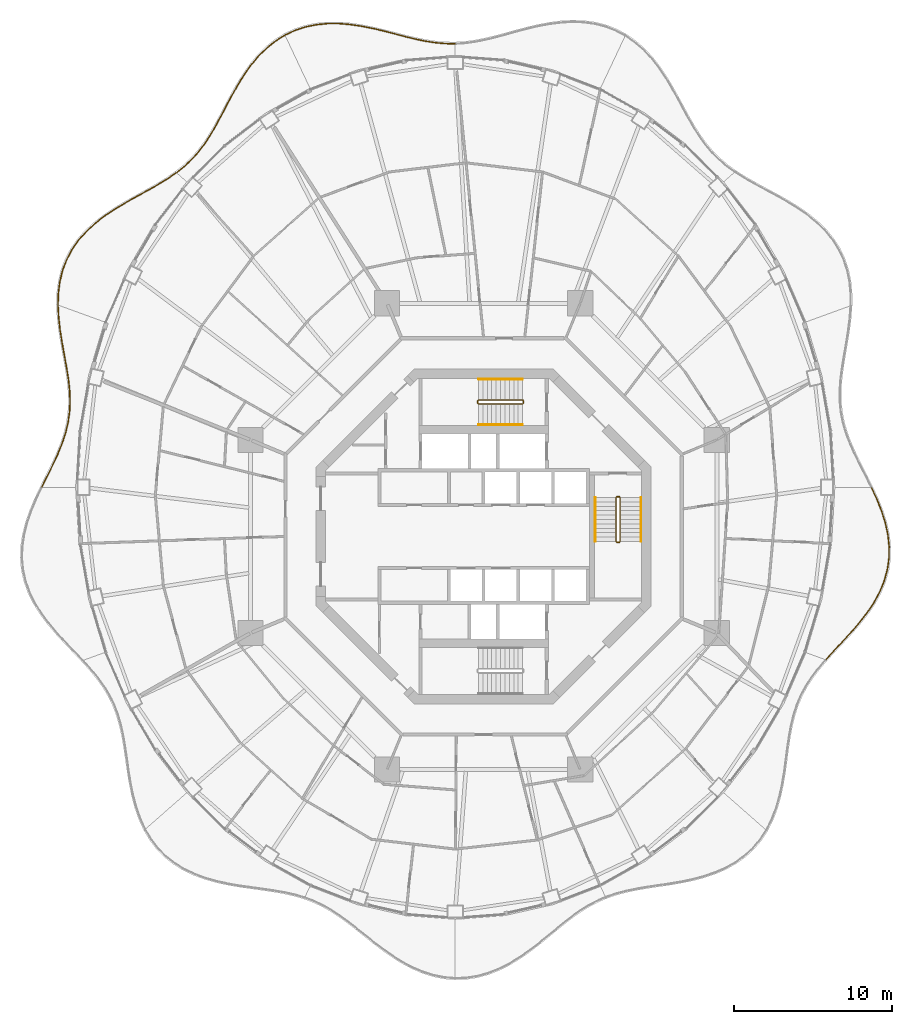
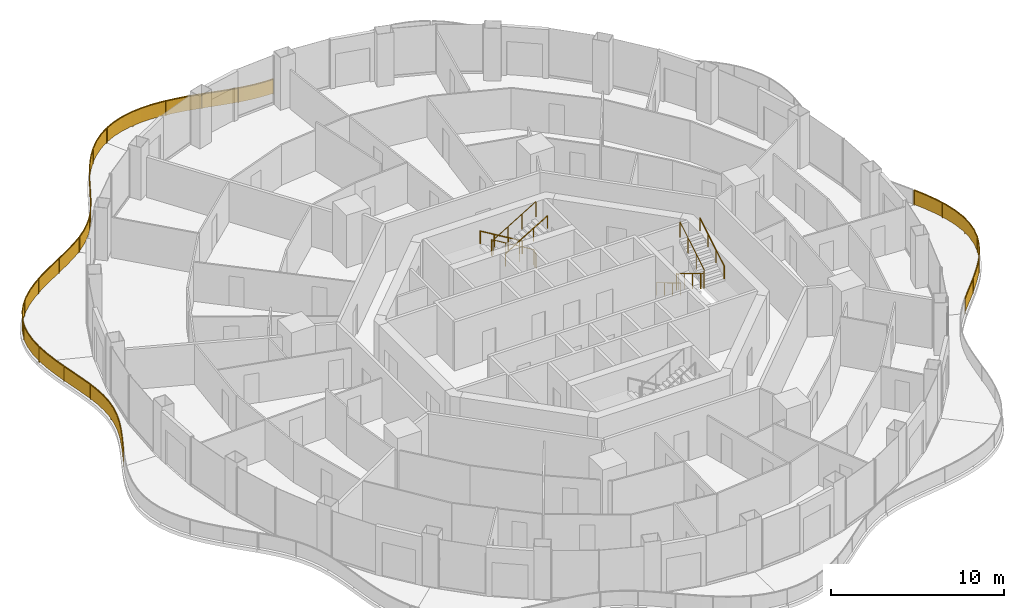
# One storey, part 17 of 18: 11 railings.
"""IFC4 building model written with IfcOpenShell, lengths in metres."""

import ifcopenshell
import ifcopenshell.guid

model = None  # the IFC model being written
_history = None  # IfcOwnerHistory: only IFC2X3 demands one
_inside = {}  # id of a spatial element -> (the spatial element, [elements in it])
_under = {}  # id of a project, library or spatial element -> (it, [spatial elements below it])
_declared = {}  # id of a project -> (the project, [libraries it declares])
_typed = {}  # id of a type object -> (the type object, [elements of that type])
_made_of = {}  # id of a material, layer set ... -> (it, [elements and type objects made of it])


def new_model(schema):
    """Start an empty IFC model of exactly this schema.

    Asked for "IFC4X3", IfcOpenShell would pick the latest addendum, in which some entities
    have other attributes; the version numbers below select the first issue.
    IFC2X3 requires an IfcOwnerHistory on every rooted entity: one is made here for all.
    """
    global model, _history
    if schema == "IFC4X3":
        model = ifcopenshell.file(schema_version=(4, 3, 0, 0))
    else:
        model = ifcopenshell.file(schema=schema)
    _inside.clear()
    _under.clear()
    _declared.clear()
    _typed.clear()
    _made_of.clear()
    _history = None
    if model.schema == "IFC2X3":
        org = make("IfcOrganization", Name="unknown")
        user = make(
            "IfcPersonAndOrganization",
            ThePerson=make("IfcPerson", FamilyName="unknown"),
            TheOrganization=org,
        )
        app = make(
            "IfcApplication",
            ApplicationDeveloper=org,
            Version="unknown",
            ApplicationFullName="unknown",
            ApplicationIdentifier="unknown",
        )
        _history = make(
            "IfcOwnerHistory",
            OwningUser=user,
            OwningApplication=app,
            ChangeAction="ADDED",
            CreationDate=0,
        )
    return model


def make(cls, **values):
    """One entity of the class cls with the attributes given. An attribute that is None is left unset."""
    return model.create_entity(
        cls, **{name: value for name, value in values.items() if value is not None}
    )


def rooted(cls, **values):
    """An entity with a GlobalId (a new one), such as an element, a storey or a relation."""
    return make(cls, GlobalId=ifcopenshell.guid.new(), OwnerHistory=_history, **values)


def si_unit(unit_type, name, prefix=None):
    """IfcSIUnit, for example si_unit("LENGTHUNIT", "METRE", prefix="MILLI")."""
    return make("IfcSIUnit", UnitType=unit_type, Prefix=prefix, Name=name)


def assignment(units):
    """IfcUnitAssignment: the units of a project."""
    return None if units is None else make("IfcUnitAssignment", Units=units)


def point(xyz):
    """IfcCartesianPoint."""
    return None if xyz is None else make("IfcCartesianPoint", Coordinates=xyz)


def direction(xyz):
    """IfcDirection."""
    return None if xyz is None else make("IfcDirection", DirectionRatios=xyz)


def frame(location, z_axis=None, x_axis=None):
    """IfcAxis2Placement3D, a coordinate frame: its origin and axes. An axis left out is left unset."""
    return make(
        "IfcAxis2Placement3D",
        Location=point(location),
        Axis=direction(z_axis),
        RefDirection=direction(x_axis),
    )


def frame_2d(location, x_axis=None):
    """IfcAxis2Placement2D, a coordinate frame in the plane: its origin and x axis."""
    return make(
        "IfcAxis2Placement2D", Location=point(location), RefDirection=direction(x_axis)
    )


def origin():
    """The frame at (0, 0, 0) with its axes left unset."""
    return frame((0.0, 0.0, 0.0))


def origin_2d():
    """The frame at (0, 0) in the plane with its x axis left unset."""
    return frame_2d((0.0, 0.0))


def place(relative_to, where):
    """IfcLocalPlacement: puts the frame where relative to a parent placement (None: the world)."""
    return make(
        "IfcLocalPlacement", PlacementRelTo=relative_to, RelativePlacement=where
    )


def context(
    kind, dimensions, precision=None, world=None, true_north=None, identifier=None
):
    """IfcGeometricRepresentationContext, for example the 3D "Model" context."""
    return make(
        "IfcGeometricRepresentationContext",
        ContextIdentifier=identifier,
        ContextType=kind,
        CoordinateSpaceDimension=dimensions,
        Precision=precision,
        WorldCoordinateSystem=world,
        TrueNorth=true_north,
    )


def subcontext(parent, identifier, kind, view, scale=None):
    """IfcGeometricRepresentationSubContext, for example "Body" below "Model"."""
    return make(
        "IfcGeometricRepresentationSubContext",
        ContextIdentifier=identifier,
        ContextType=kind,
        ParentContext=parent,
        TargetScale=scale,
        TargetView=view,
    )


def project(units=None, contexts=None):
    """IfcProject with its units and contexts."""
    return rooted(
        "IfcProject",
        Name="project",
        RepresentationContexts=contexts,
        UnitsInContext=assignment(units),
    )


def spatial(cls, under=None, at=None, **own):
    """A site, building, storey or space (cls), placed at a placement, below another one or the project."""
    s = rooted(cls, ObjectPlacement=at, **own)
    if under is not None:
        _under.setdefault(under.id(), (under, []))[1].append(s)
    return s


def polyline(points):
    """IfcPolyline through the points."""
    return make("IfcPolyline", Points=[point(p) for p in points])


def profile(cls, at=None, kind="AREA", **sizes):
    """A parametric profile (cls). Its sizes go by their IFC names, for example OverallWidth=200.0."""
    return make(cls, ProfileType=kind, Position=at, **sizes)


def rectangle(**sizes):
    """IfcRectangleProfileDef."""
    return profile("IfcRectangleProfileDef", **sizes)


def circle(**sizes):
    """IfcCircleProfileDef."""
    return profile("IfcCircleProfileDef", **sizes)


def outline(outer, holes=None, kind="AREA"):
    """IfcArbitraryClosedProfileDef: a profile drawn as a closed curve; with holes, ...WithVoids."""
    if holes is None:
        return make("IfcArbitraryClosedProfileDef", ProfileType=kind, OuterCurve=outer)
    return make(
        "IfcArbitraryProfileDefWithVoids",
        ProfileType=kind,
        OuterCurve=outer,
        InnerCurves=holes,
    )


def extrude(swept, where, along, depth):
    """IfcExtrudedAreaSolid: the profile swept, set in the frame where, extruded along a direction by depth."""
    return make(
        "IfcExtrudedAreaSolid",
        SweptArea=swept,
        Position=where,
        ExtrudedDirection=direction(along),
        Depth=depth,
    )


def shape(context_of_items, identifier, shape_type, items):
    """IfcShapeRepresentation: the items that make up one representation, for example the "Body"."""
    return make(
        "IfcShapeRepresentation",
        ContextOfItems=context_of_items,
        RepresentationIdentifier=identifier,
        RepresentationType=shape_type,
        Items=items,
    )


def material(Name=None, Category=None):
    """IfcMaterial."""
    return make("IfcMaterial", Name=Name, Category=Category)


def made_of(thing, what):
    """Note that an element or type object is made of a material, layer set ...; save() writes the relation."""
    if what is not None:
        _made_of.setdefault(what.id(), (what, []))[1].append(thing)
    return thing


def type_object(cls, material=None, **own):
    """A type object (cls), such as IfcWallType, which elements share."""
    return made_of(rooted(cls, **own), material)


def element(
    cls,
    number,
    at=None,
    inside=None,
    cuts=None,
    type_object=None,
    material=None,
    context=None,
    identifier="Body",
    shape_type=None,
    held_by="IfcProductDefinitionShape",
    body=None,
    shapes=None,
    **own,
):
    """One element of the class cls, such as IfcWall. Its Tag is "e" and its number.

    at: its placement. inside: the storey or other place that contains it. cuts: it is an
    opening in that element (IfcRelVoidsElement). A single representation is given by context,
    identifier, shape_type and body (its items); several are given by shapes. held_by: the class
    of the entity that holds the representations. save() writes the other relations.
    """
    e = rooted(cls, Tag="e%d" % number, ObjectPlacement=at, **own)
    if body is not None:
        shapes = [shape(context, identifier, shape_type, body)]
    if shapes is not None:
        e.Representation = make(held_by, Representations=shapes)
    if inside is not None:
        _inside.setdefault(inside.id(), (inside, []))[1].append(e)
    if cuts is not None:
        rooted(
            "IfcRelVoidsElement", RelatingBuildingElement=cuts, RelatedOpeningElement=e
        )
    if type_object is not None:
        _typed.setdefault(type_object.id(), (type_object, []))[1].append(e)
    return made_of(e, material)


def aggregate(whole, parts):
    """IfcRelAggregates: a whole, such as a stair, and the parts it consists of."""
    return rooted("IfcRelAggregates", RelatingObject=whole, RelatedObjects=parts)


def save(model, path):
    """Write the relations noted so far, then the file.

    IfcRelAggregates (storeys below a building ...), IfcRelContainedInSpatialStructure (elements
    in a storey), IfcRelDefinesByType, IfcRelAssociatesMaterial and IfcRelDeclares: one each for
    every whole, place, type object, material and project.
    """
    for whole, parts in _under.values():
        aggregate(whole, parts)
    for where, things in _inside.values():
        rooted(
            "IfcRelContainedInSpatialStructure",
            RelatedElements=things,
            RelatingStructure=where,
        )
    for kind, things in _typed.values():
        rooted("IfcRelDefinesByType", RelatedObjects=things, RelatingType=kind)
    for what, things in _made_of.values():
        rooted("IfcRelAssociatesMaterial", RelatedObjects=things, RelatingMaterial=what)
    for by, libraries in _declared.values():
        rooted("IfcRelDeclares", RelatingContext=by, RelatedDefinitions=libraries)
    model.write(path)


model = new_model("IFC4")

# Units and contexts
model_context = context("Model", 3, precision=1e-05, world=origin(), true_north=direction((0.0, 1.0)))
body_context = subcontext(model_context, "Body", "Model", "MODEL_VIEW")
ifc_project = project(units=[si_unit("LENGTHUNIT", "METRE"), si_unit("AREAUNIT", "SQUARE_METRE"), si_unit("VOLUMEUNIT", "CUBIC_METRE"), si_unit("PLANEANGLEUNIT", "RADIAN"), si_unit("MASSUNIT", "GRAM", prefix="KILO")], contexts=[model_context])

# Site, building, storey
site_placement = place(None, origin())
site = spatial("IfcSite", under=ifc_project, at=site_placement, CompositionType="ELEMENT")
building_placement = place(site_placement, origin())
building = spatial("IfcBuilding", under=site, at=building_placement, Name="Nagisa Residences", CompositionType="ELEMENT")
storey_placement = place(building_placement, frame((0.0, 0.0, 223.300048828125)))
storey = spatial("IfcBuildingStorey", under=building, at=storey_placement, Name="L56", CompositionType="ELEMENT", Elevation=223.300048828125)

# Railings
ifc_material_1 = material(Name="Stainless steel 316", Category="steel")
railing_type_1 = type_object("IfcRailingType", Name="BALCONY GUARD 1100", PredefinedType="BALUSTRADE", material=ifc_material_1)
railing_1_placement = place(storey_placement, frame((-1.83447265625, 31.240234375, 0.0)))
element("IfcRailing", 1, at=railing_1_placement, inside=storey, type_object=railing_type_1, Name="guard:L56:bal04-0", PredefinedType="BALUSTRADE", context=body_context, shape_type="SweptSolid", body=[
    extrude(outline(polyline([(-0.5771484375, -0.017822265625), (-0.000244140625, -0.02490234375), (0.000244140625, 0.02490234375), (-0.57470703125, 0.031982421875), (-1.196533203125, 0.085693359375), (-1.826904296875, 0.181640625), (-2.470458984375, 0.3134765625), (-3.129150390625, 0.471923828125), (-3.78759765625, 0.64892578125), (-4.48095703125, 0.826416015625), (-5.189453125, 0.9931640625), (-5.910400390625, 1.13623046875), (-6.638427734375, 1.241943359375), (-7.3515625, 1.30322265625), (-8.076416015625, 1.299560546875), (-8.789306640625, 1.22802734375), (-9.482177734375, 1.0830078125), (-10.148193359375, 0.861328125), (-10.737060546875, 0.583740234375), (-10.715576171875, 0.538330078125), (-10.129638671875, 0.81494140625), (-9.468994140625, 1.03466796875), (-8.781494140625, 1.1787109375), (-8.073974609375, 1.249755859375), (-7.353515625, 1.2529296875), (-6.644287109375, 1.192138671875), (-5.918701171875, 1.0869140625), (-5.2001953125, 0.9443359375), (-4.49267578125, 0.777587890625), (-3.80029296875, 0.6005859375), (-3.141357421875, 0.423583984375), (-2.481201171875, 0.2646484375), (-1.835693359375, 0.13232421875), (-1.202392578125, 0.035888671875), (-0.5771484375, -0.017822265625)])), frame((0.0, 0.0, 1.050048828125)), (0.0, 0.0, 1.0), 0.050048828125),
    extrude(outline(polyline([(-0.576171875, 0.0), (0.0, -0.007080078125), (0.0, 0.007080078125), (-0.57568359375, 0.01416015625), (-1.19873046875, 0.067626953125), (-1.830078125, 0.163818359375), (-2.474365234375, 0.2958984375), (-3.133544921875, 0.45458984375), (-3.792236328125, 0.631591796875), (-4.485107421875, 0.808837890625), (-5.193359375, 0.9755859375), (-5.913330078125, 1.118408203125), (-6.640625, 1.223876953125), (-7.352294921875, 1.28515625), (-8.07568359375, 1.28173828125), (-8.786376953125, 1.210205078125), (-9.477294921875, 1.065673828125), (-10.1416015625, 0.8447265625), (-10.729248046875, 0.5673828125), (-10.723388671875, 0.5546875), (-10.13623046875, 0.83154296875), (-9.473876953125, 1.052001953125), (-8.784423828125, 1.196533203125), (-8.07470703125, 1.267578125), (-7.352783203125, 1.27099609375), (-6.64208984375, 1.210205078125), (-5.915771484375, 1.104736328125), (-5.1962890625, 0.9619140625), (-4.488525390625, 0.795166015625), (-3.795654296875, 0.617919921875), (-3.136962890625, 0.44091796875), (-2.477294921875, 0.2822265625), (-1.83251953125, 0.150146484375), (-1.2001953125, 0.053955078125), (-0.576171875, 0.0)])), frame((0.0, 0.0, 0.06005859375)), (0.0, 0.0, 1.0), 0.989990234375),
    extrude(rectangle(XDim=0.0400390625, YDim=0.0400390625, at=origin_2d()), origin(), (0.0, 0.0, 1.0), 1.050048828125),
    extrude(rectangle(XDim=0.0400390625, YDim=0.0400390625, at=origin_2d()), frame((-2.177978515625, 0.22802734375, 0.0)), (0.0, 0.0, 1.0), 1.050048828125),
    extrude(rectangle(XDim=0.0400390625, YDim=0.0400390625, at=origin_2d()), frame((-4.307861328125, 0.756103515625, 0.0)), (0.0, 0.0, 1.0), 1.050048828125),
    extrude(rectangle(XDim=0.0400390625, YDim=0.0400390625, at=origin_2d()), frame((-6.457763671875, 1.1904296875, 0.0)), (0.0, 0.0, 1.0), 1.050048828125),
    extrude(rectangle(XDim=0.0400390625, YDim=0.0400390625, at=origin_2d()), frame((-8.64501953125, 1.217529296875, 0.0)), (0.0, 0.0, 1.0), 1.050048828125),
    extrude(rectangle(XDim=0.0400390625, YDim=0.0400390625, at=origin_2d()), frame((-10.726318359375, 0.56103515625, 0.0)), (0.0, 0.0, 1.0), 1.050048828125),
])
railing_2_placement = place(storey_placement, frame((-12.628662109375, 31.763916015625, 0.0)))
element("IfcRailing", 2, at=railing_2_placement, inside=storey, type_object=railing_type_1, Name="guard:L56:bal05-0", PredefinedType="BALUSTRADE", context=body_context, shape_type="SweptSolid", body=[
    extrude(outline(polyline([(-0.55908203125, -0.38134765625), (0.013427734375, -0.021240234375), (-0.013427734375, 0.021240234375), (-0.58837890625, -0.34033203125), (-1.16015625, -0.800537109375), (-1.686279296875, -1.324462890625), (-2.166259765625, -1.90087890625), (-2.60302734375, -2.517333984375), (-2.989990234375, -3.15185546875), (-3.3603515625, -3.80810546875), (-3.709228515625, -4.4638671875), (-4.046142578125, -5.107177734375), (-4.382568359375, -5.727783203125), (-4.716064453125, -6.306884765625), (-5.08056640625, -6.860107421875), (-5.472412109375, -7.37353515625), (-5.8984375, -7.84716796875), (-6.36328125, -8.283203125), (-6.836181640625, -8.66015625), (-6.804931640625, -8.69921875), (-6.33056640625, -8.3212890625), (-5.86279296875, -7.88232421875), (-5.433837890625, -7.4052734375), (-5.03955078125, -6.888916015625), (-4.673583984375, -6.333251953125), (-4.339111328125, -5.752197265625), (-4.002197265625, -5.130615234375), (-3.664794921875, -4.4873046875), (-3.31640625, -3.83203125), (-2.947021484375, -3.17724609375), (-2.56103515625, -2.544677734375), (-2.126708984375, -1.931640625), (-1.649169921875, -1.358154296875), (-1.126953125, -0.837646484375), (-0.55908203125, -0.38134765625)])), frame((0.0, 0.0, 1.050048828125)), (0.0, 0.0, 1.0), 0.050048828125),
    extrude(outline(polyline([(-0.569580078125, -0.366455078125), (0.003662109375, -0.005859375), (-0.003662109375, 0.005859375), (-0.577880859375, -0.355224609375), (-1.148193359375, -0.81396484375), (-1.6728515625, -1.336669921875), (-2.152099609375, -1.912109375), (-2.587890625, -2.527099609375), (-2.974609375, -3.160888671875), (-3.344482421875, -3.816650390625), (-3.693115234375, -4.472412109375), (-4.0302734375, -5.11572265625), (-4.366943359375, -5.736572265625), (-4.70068359375, -6.31640625), (-5.065673828125, -6.870361328125), (-5.45849609375, -7.385009765625), (-5.8857421875, -7.85986328125), (-6.3515625, -8.296875), (-6.824951171875, -8.67431640625), (-6.816162109375, -8.68505859375), (-6.34228515625, -8.3076171875), (-5.87548828125, -7.86962890625), (-5.44775390625, -7.393798828125), (-5.054443359375, -6.878662109375), (-4.68896484375, -6.32373046875), (-4.354736328125, -5.743408203125), (-4.01806640625, -5.1220703125), (-3.680908203125, -4.478759765625), (-3.332275390625, -3.823486328125), (-2.96240234375, -3.168212890625), (-2.576171875, -2.534912109375), (-2.140869140625, -1.92041015625), (-1.66259765625, -1.345947265625), (-1.138916015625, -0.82421875), (-0.569580078125, -0.366455078125)])), frame((0.0, 0.0, 0.06005859375)), (0.0, 0.0, 1.0), 0.989990234375),
    extrude(rectangle(XDim=0.0400390625, YDim=0.0400390625, at=origin_2d()), origin(), (0.0, 0.0, 1.0), 1.050048828125),
    extrude(rectangle(XDim=0.0400390625, YDim=0.0400390625, at=origin_2d()), frame((-1.72412109375, -1.4091796875, 0.0)), (0.0, 0.0, 1.0), 1.050048828125),
    extrude(rectangle(XDim=0.0400390625, YDim=0.0400390625, at=origin_2d()), frame((-3.0087890625, -3.23583984375, 0.0)), (0.0, 0.0, 1.0), 1.050048828125),
    extrude(rectangle(XDim=0.0400390625, YDim=0.0400390625, at=origin_2d()), frame((-4.070556640625, -5.20458984375, 0.0)), (0.0, 0.0, 1.0), 1.050048828125),
    extrude(rectangle(XDim=0.0400390625, YDim=0.0400390625, at=origin_2d()), frame((-5.239013671875, -7.10888671875, 0.0)), (0.0, 0.0, 1.0), 1.050048828125),
    extrude(rectangle(XDim=0.0400390625, YDim=0.0400390625, at=origin_2d()), frame((-6.820556640625, -8.6796875, 0.0)), (0.0, 0.0, 1.0), 1.050048828125),
])
railing_3_placement = place(storey_placement, frame((-19.50732421875, 23.043701171875, 0.0)))
element("IfcRailing", 3, at=railing_3_placement, inside=storey, type_object=railing_type_1, Name="guard:L56:bal06-0", PredefinedType="BALUSTRADE", context=body_context, shape_type="SweptSolid", body=[
    extrude(outline(polyline([(-0.526123046875, -0.3916015625), (0.01416015625, -0.020751953125), (-0.01416015625, 0.020751953125), (-0.553466796875, -0.349609375), (-1.1669921875, -0.724853515625), (-1.813232421875, -1.090576171875), (-2.481689453125, -1.458251953125), (-3.159423828125, -1.838623046875), (-3.82373046875, -2.22900390625), (-4.476806640625, -2.663330078125), (-5.093994140625, -3.135986328125), (-5.660888671875, -3.65185546875), (-6.16455078125, -4.21337890625), (-6.58837890625, -4.80712890625), (-6.9375, -5.457275390625), (-7.201904296875, -6.146240234375), (-7.381103515625, -6.86767578125), (-7.479248046875, -7.61474609375), (-7.50048828125, -8.33251953125), (-7.45068359375, -8.333984375), (-7.429443359375, -7.61865234375), (-7.331787109375, -6.876953125), (-7.154052734375, -6.161376953125), (-6.89208984375, -5.478271484375), (-6.5458984375, -4.83349609375), (-6.12548828125, -4.24462890625), (-5.625244140625, -3.68701171875), (-5.061767578125, -3.174560546875), (-4.447509765625, -2.703857421875), (-3.79736328125, -2.271484375), (-3.134521484375, -1.882080078125), (-2.457275390625, -1.502197265625), (-1.788818359375, -1.134521484375), (-1.1416015625, -0.767822265625), (-0.526123046875, -0.3916015625)])), frame((0.0, 0.0, 1.050048828125)), (0.0, 0.0, 1.0), 0.050048828125),
    extrude(outline(polyline([(-0.535888671875, -0.37646484375), (0.00390625, -0.005859375), (-0.00390625, 0.005859375), (-0.543701171875, -0.36474609375), (-1.157958984375, -0.740234375), (-1.804443359375, -1.1064453125), (-2.472900390625, -1.47412109375), (-3.150390625, -1.854248046875), (-3.814208984375, -2.244384765625), (-4.46630859375, -2.677978515625), (-5.082275390625, -3.14990234375), (-5.64794921875, -3.66455078125), (-6.150390625, -4.224609375), (-6.572998046875, -4.816650390625), (-6.921142578125, -5.46484375), (-7.1845703125, -6.151611328125), (-7.36328125, -6.87109375), (-7.46142578125, -7.6162109375), (-7.482666015625, -8.3330078125), (-7.468505859375, -8.33349609375), (-7.447265625, -7.6171875), (-7.349609375, -6.87353515625), (-7.17138671875, -6.156005859375), (-6.908447265625, -5.470703125), (-6.561279296875, -4.823974609375), (-6.1396484375, -4.2333984375), (-5.63818359375, -3.67431640625), (-5.073486328125, -3.16064453125), (-4.4580078125, -2.689208984375), (-3.806884765625, -2.256103515625), (-3.1435546875, -1.866455078125), (-2.466064453125, -1.486328125), (-1.797607421875, -1.11865234375), (-1.150634765625, -0.75244140625), (-0.535888671875, -0.37646484375)])), frame((0.0, 0.0, 0.06005859375)), (0.0, 0.0, 1.0), 0.989990234375),
    extrude(rectangle(XDim=0.0400390625, YDim=0.0400390625, at=origin_2d()), origin(), (0.0, 0.0, 1.0), 1.050048828125),
    extrude(rectangle(XDim=0.0400390625, YDim=0.0400390625, at=origin_2d()), frame((-2.031494140625, -1.2392578125, 0.0)), (0.0, 0.0, 1.0), 1.050048828125),
    extrude(rectangle(XDim=0.0400390625, YDim=0.0400390625, at=origin_2d()), frame((-4.089111328125, -2.435546875, 0.0)), (0.0, 0.0, 1.0), 1.050048828125),
    extrude(rectangle(XDim=0.0400390625, YDim=0.0400390625, at=origin_2d()), frame((-5.906005859375, -3.96240234375, 0.0)), (0.0, 0.0, 1.0), 1.050048828125),
    extrude(rectangle(XDim=0.0400390625, YDim=0.0400390625, at=origin_2d()), frame((-7.115966796875, -5.9921875, 0.0)), (0.0, 0.0, 1.0), 1.050048828125),
    extrude(rectangle(XDim=0.0400390625, YDim=0.0400390625, at=origin_2d()), frame((-7.4755859375, -8.333251953125, 0.0)), (0.0, 0.0, 1.0), 1.050048828125),
])
railing_4_placement = place(storey_placement, frame((-26.981201171875, 14.633056640625, 0.0)))
element("IfcRailing", 4, at=railing_4_placement, inside=storey, type_object=railing_type_1, Name="guard:L56:bal07-0", PredefinedType="BALUSTRADE", context=body_context, shape_type="SweptSolid", body=[
    extrude(outline(polyline([(0.064208984375, -0.7490234375), (0.02490234375, 0.001220703125), (-0.02490234375, -0.001220703125), (0.014404296875, -0.7529296875), (0.10546875, -1.552734375), (0.230712890625, -2.34619140625), (0.37158203125, -3.12744140625), (0.5087890625, -3.891845703125), (0.628173828125, -4.623291015625), (0.707275390625, -5.347900390625), (0.73583984375, -6.0537109375), (0.705078125, -6.743408203125), (0.609619140625, -7.42138671875), (0.4501953125, -8.078857421875), (0.2275390625, -8.748779296875), (-0.048828125, -9.423095703125), (-0.36669921875, -10.106201171875), (-0.710693359375, -10.80126953125), (-1.044921875, -11.47021484375), (-1.0, -11.49267578125), (-0.665771484375, -10.82373046875), (-0.32177734375, -10.127685546875), (-0.0029296875, -9.443115234375), (0.2744140625, -8.766357421875), (0.49853515625, -8.092529296875), (0.658935546875, -7.4306640625), (0.7548828125, -6.747802734375), (0.7861328125, -6.0537109375), (0.757080078125, -5.343994140625), (0.677978515625, -4.616455078125), (0.55810546875, -3.883544921875), (0.4208984375, -3.11865234375), (0.280029296875, -2.337890625), (0.1552734375, -1.5458984375), (0.064208984375, -0.7490234375)])), frame((0.0, 0.0, 1.050048828125)), (0.0, 0.0, 1.0), 0.050048828125),
    extrude(outline(polyline([(0.04638671875, -0.75048828125), (0.007080078125, 0.000244140625), (-0.007080078125, -0.000244140625), (0.0322265625, -0.75146484375), (0.12353515625, -1.55029296875), (0.24853515625, -2.34326171875), (0.389404296875, -3.124267578125), (0.526611328125, -3.888916015625), (0.646240234375, -4.620849609375), (0.72509765625, -5.346435546875), (0.75390625, -6.0537109375), (0.722900390625, -6.744873046875), (0.62744140625, -7.4248046875), (0.467529296875, -8.083740234375), (0.244384765625, -8.755126953125), (-0.0322265625, -9.430419921875), (-0.3505859375, -10.114013671875), (-0.694580078125, -10.809326171875), (-1.02880859375, -11.478271484375), (-1.01611328125, -11.484619140625), (-0.681884765625, -10.815673828125), (-0.337890625, -10.119873046875), (-0.01953125, -9.435791015625), (0.257568359375, -8.760009765625), (0.481201171875, -8.087646484375), (0.64111328125, -7.42724609375), (0.737060546875, -6.746337890625), (0.76806640625, -6.0537109375), (0.7392578125, -5.345458984375), (0.659912109375, -4.618896484375), (0.540283203125, -3.886474609375), (0.403076171875, -3.121826171875), (0.26220703125, -2.3408203125), (0.13720703125, -1.54833984375), (0.04638671875, -0.75048828125)])), frame((0.0, 0.0, 0.06005859375)), (0.0, 0.0, 1.0), 0.989990234375),
    extrude(rectangle(XDim=0.0400390625, YDim=0.0400390625, at=origin_2d()), origin(), (0.0, 0.0, 1.0), 1.050048828125),
    extrude(rectangle(XDim=0.0400390625, YDim=0.0400390625, at=origin_2d()), frame((0.2587890625, -2.3603515625, 0.0)), (0.0, 0.0, 1.0), 1.050048828125),
    extrude(rectangle(XDim=0.0400390625, YDim=0.0400390625, at=origin_2d()), frame((0.662109375, -4.702392578125, 0.0)), (0.0, 0.0, 1.0), 1.050048828125),
    extrude(rectangle(XDim=0.0400390625, YDim=0.0400390625, at=origin_2d()), frame((0.684326171875, -7.071044921875, 0.0)), (0.0, 0.0, 1.0), 1.050048828125),
    extrude(rectangle(XDim=0.0400390625, YDim=0.0400390625, at=origin_2d()), frame((0.011474609375, -9.341796875, 0.0)), (0.0, 0.0, 1.0), 1.050048828125),
    extrude(rectangle(XDim=0.0400390625, YDim=0.0400390625, at=origin_2d()), frame((-1.0224609375, -11.4814453125, 0.0)), (0.0, 0.0, 1.0), 1.050048828125),
])
railing_5_placement = place(storey_placement, frame((21.708740234375, -7.79052734375, 0.0)))
element("IfcRailing", 5, at=railing_5_placement, inside=storey, type_object=railing_type_1, Name="guard:L56:bal15-0", PredefinedType="BALUSTRADE", context=body_context, shape_type="SweptSolid", body=[
    extrude(outline(polyline([(0.471435546875, 0.54833984375), (-0.018310546875, 0.016845703125), (0.018310546875, -0.016845703125), (0.508056640625, 0.51416015625), (1.046142578125, 1.08642578125), (1.588134765625, 1.674072265625), (2.114990234375, 2.2822265625), (2.608154296875, 2.91455078125), (3.046142578125, 3.56005859375), (3.41943359375, 4.245361328125), (3.71142578125, 4.955322265625), (3.912841796875, 5.686279296875), (4.017822265625, 6.43359375), (4.0244140625, 7.177734375), (3.939453125, 7.93994140625), (3.77001953125, 8.70068359375), (3.528076171875, 9.45458984375), (3.229736328125, 10.197265625), (2.9091796875, 10.88427734375), (2.86376953125, 10.86328125), (3.183837890625, 10.17724609375), (3.481201171875, 9.4375), (3.7216796875, 8.6875), (3.89013671875, 7.931640625), (3.97412109375, 7.17529296875), (3.968017578125, 6.4375), (3.863525390625, 5.696533203125), (3.6640625, 4.971435546875), (3.3740234375, 4.266845703125), (3.003173828125, 3.5859375), (2.567626953125, 2.94384765625), (2.076416015625, 2.31396484375), (1.551025390625, 1.707275390625), (1.009521484375, 1.12060546875), (0.471435546875, 0.54833984375)])), frame((0.0, 0.0, 1.050048828125)), (0.0, 0.0, 1.0), 0.050048828125),
    extrude(outline(polyline([(0.484619140625, 0.5361328125), (-0.005126953125, 0.004638671875), (0.005126953125, -0.004638671875), (0.494873046875, 0.5263671875), (1.032958984375, 1.0986328125), (1.57470703125, 1.68603515625), (2.10107421875, 2.293701171875), (2.593505859375, 2.925048828125), (3.03076171875, 3.5693359375), (3.403076171875, 4.253173828125), (3.6943359375, 4.961181640625), (3.89501953125, 5.68994140625), (4.0, 6.43505859375), (4.00634765625, 7.1767578125), (3.921630859375, 7.93701171875), (3.752685546875, 8.696044921875), (3.51123046875, 9.448486328125), (3.213134765625, 10.18994140625), (2.892822265625, 10.876708984375), (2.880126953125, 10.870849609375), (3.200439453125, 10.1845703125), (3.498046875, 9.443603515625), (3.739013671875, 8.692138671875), (3.907958984375, 7.9345703125), (3.9921875, 7.17626953125), (3.98583984375, 6.43603515625), (3.88134765625, 5.69287109375), (3.68115234375, 4.965576171875), (3.390380859375, 4.259033203125), (3.0185546875, 3.57666015625), (2.582275390625, 2.933349609375), (2.09033203125, 2.302490234375), (1.564453125, 1.6953125), (1.022705078125, 1.1083984375), (0.484619140625, 0.5361328125)])), frame((0.0, 0.0, 0.06005859375)), (0.0, 0.0, 1.0), 0.989990234375),
    extrude(rectangle(XDim=0.0400390625, YDim=0.0400390625, at=origin_2d()), origin(), (0.0, 0.0, 1.0), 1.050048828125),
    extrude(rectangle(XDim=0.0400390625, YDim=0.0400390625, at=origin_2d()), frame((1.40283203125, 1.510009765625, 0.0)), (0.0, 0.0, 1.0), 1.050048828125),
    extrude(rectangle(XDim=0.0400390625, YDim=0.0400390625, at=origin_2d()), frame((2.706298828125, 3.10400390625, 0.0)), (0.0, 0.0, 1.0), 1.050048828125),
    extrude(rectangle(XDim=0.0400390625, YDim=0.0400390625, at=origin_2d()), frame((3.669189453125, 4.91845703125, 0.0)), (0.0, 0.0, 1.0), 1.050048828125),
    extrude(rectangle(XDim=0.0400390625, YDim=0.0400390625, at=origin_2d()), frame((3.997314453125, 6.94140625, 0.0)), (0.0, 0.0, 1.0), 1.050048828125),
    extrude(rectangle(XDim=0.0400390625, YDim=0.0400390625, at=origin_2d()), frame((3.65869140625, 8.965576171875, 0.0)), (0.0, 0.0, 1.0), 1.050048828125),
    extrude(rectangle(XDim=0.0400390625, YDim=0.0400390625, at=origin_2d()), frame((2.886474609375, 10.873779296875, 0.0)), (0.0, 0.0, 1.0), 1.050048828125),
])
ifc_material_2 = material(Name="Stainless steel", Category="steel")
railing_type_2 = type_object("IfcRailingType", Name="Stair guard 1100", PredefinedType="GUARDRAIL", material=ifc_material_2)
railing_6_placement = place(storey_placement, frame((8.599609375, 2.52490234375, 0.0)))
element("IfcRailing", 6, at=railing_6_placement, inside=storey, type_object=railing_type_2, Name="L56 ST-E stair guard 1", PredefinedType="GUARDRAIL", context=body_context, shape_type="SweptSolid", body=[
    extrude(circle(Radius=0.02392578125, at=origin_2d()), frame((0.0, 0.0, 1.076171875), z_axis=(-1.0, 0.0, 0.0), x_axis=(0.0, -1.0, 0.0)), (0.0, 0.0, 1.0), 0.14990234375),
    extrude(circle(Radius=0.02392578125, at=origin_2d()), frame((-0.14990234375, 0.0, 1.076171875), z_axis=(-0.27434429532, -0.273006030465, 0.922064485248), x_axis=(0.705375805398, -0.708833529934, 0.0)), (0.0, 0.0, 1.0), 0.182373046875),
    extrude(circle(Radius=0.02392578125, at=origin_2d()), frame((-0.199951171875, -0.0498046875, 1.244140625), z_axis=(0.0, -0.857275202839, 0.514858452973), x_axis=(1.0, 0.0, 0.0)), (0.0, 0.0, 1.0), 3.26611328125),
    extrude(circle(Radius=0.02392578125, at=origin_2d()), frame((-0.199951171875, -2.849853515625, 2.92578125), z_axis=(0.707106781187, -0.707106781187, 0.0), x_axis=(0.707106781187, 0.707106781187, 0.0)), (0.0, 0.0, 1.0), 0.07080078125),
    extrude(circle(Radius=0.02392578125, at=origin_2d()), frame((-0.14990234375, -2.89990234375, 2.92578125), z_axis=(1.0, 0.0, 0.0), x_axis=(0.0, 1.0, 0.0)), (0.0, 0.0, 1.0), 0.14990234375),
    extrude(circle(Radius=0.02392578125, at=origin_2d()), frame((0.0, -2.89990234375, 2.92578125), z_axis=(0.274243871929, 0.274243871929, 0.92172696468), x_axis=(-0.707106781187, 0.707106781187, 0.0)), (0.0, 0.0, 1.0), 0.1826171875),
    extrude(circle(Radius=0.02392578125, at=origin_2d()), frame((0.050048828125, -2.849853515625, 3.09423828125), z_axis=(0.0, 0.857242210791, 0.514913383045), x_axis=(-1.0, 0.0, 0.0)), (0.0, 0.0, 1.0), 3.266357421875),
    extrude(circle(Radius=0.02099609375, at=origin_2d()), origin(), (0.0, 0.0, 1.0), 1.052001953125),
    extrude(circle(Radius=0.02099609375, at=origin_2d()), frame((-0.14990234375, 0.0, 0.0)), (0.0, 0.0, 1.0), 1.052001953125),
    extrude(circle(Radius=0.02099609375, at=origin_2d()), frame((-0.199951171875, -0.0498046875, 0.168212890625)), (0.0, 0.0, 1.0), 1.052001953125),
    extrude(circle(Radius=0.02099609375, at=origin_2d()), frame((-0.199951171875, -0.983154296875, 0.728759765625)), (0.0, 0.0, 1.0), 1.052001953125),
    extrude(circle(Radius=0.02099609375, at=origin_2d()), frame((-0.199951171875, -1.91650390625, 1.289306640625)), (0.0, 0.0, 1.0), 1.052001953125),
    extrude(circle(Radius=0.02099609375, at=origin_2d()), frame((-0.199951171875, -2.849853515625, 1.849853515625)), (0.0, 0.0, 1.0), 1.052001953125),
    extrude(circle(Radius=0.02099609375, at=origin_2d()), frame((-0.14990234375, -2.89990234375, 1.849853515625)), (0.0, 0.0, 1.0), 1.052001953125),
    extrude(circle(Radius=0.02099609375, at=origin_2d()), frame((0.0, -2.89990234375, 1.849853515625)), (0.0, 0.0, 1.0), 1.052001953125),
    extrude(circle(Radius=0.02099609375, at=origin_2d()), frame((0.050048828125, -2.849853515625, 2.01806640625)), (0.0, 0.0, 1.0), 1.052001953125),
    extrude(circle(Radius=0.02099609375, at=origin_2d()), frame((0.050048828125, -1.91650390625, 2.57861328125)), (0.0, 0.0, 1.0), 1.052001953125),
    extrude(circle(Radius=0.02099609375, at=origin_2d()), frame((0.050048828125, -0.983154296875, 3.139404296875)), (0.0, 0.0, 1.0), 1.052001953125),
    extrude(circle(Radius=0.02099609375, at=origin_2d()), frame((0.050048828125, -0.0498046875, 3.699951171875)), (0.0, 0.0, 1.0), 1.052001953125),
])
railing_7_placement = place(storey_placement, frame((2.52490234375, 8.44970703125, 0.0)))
element("IfcRailing", 7, at=railing_7_placement, inside=storey, type_object=railing_type_2, Name="L56 ST-N stair guard 1", PredefinedType="GUARDRAIL", context=body_context, shape_type="SweptSolid", body=[
    extrude(circle(Radius=0.02392578125, at=origin_2d()), frame((0.0, 0.0, 1.076171875), z_axis=(0.0, 1.0, 0.0), x_axis=(-1.0, 0.0, 0.0)), (0.0, 0.0, 1.0), 0.14990234375),
    extrude(circle(Radius=0.02392578125, at=origin_2d()), frame((0.0, 0.14990234375, 1.076171875), z_axis=(-0.273006030465, 0.27434429532, 0.922064485248), x_axis=(-0.708833529934, -0.705375805398, 0.0)), (0.0, 0.0, 1.0), 0.182373046875),
    extrude(circle(Radius=0.02392578125, at=origin_2d()), frame((-0.0498046875, 0.199951171875, 1.244140625), z_axis=(-0.857275202839, 0.0, 0.514858452973), x_axis=(0.0, -1.0, 0.0)), (0.0, 0.0, 1.0), 3.26611328125),
    extrude(circle(Radius=0.02392578125, at=origin_2d()), frame((-2.849853515625, 0.199951171875, 2.92578125), z_axis=(-0.707106781187, -0.707106781187, 0.0), x_axis=(0.707106781187, -0.707106781187, 0.0)), (0.0, 0.0, 1.0), 0.07080078125),
    extrude(circle(Radius=0.02392578125, at=origin_2d()), frame((-2.89990234375, 0.14990234375, 2.92578125), z_axis=(0.0, -1.0, 0.0), x_axis=(1.0, 0.0, 0.0)), (0.0, 0.0, 1.0), 0.14990234375),
    extrude(circle(Radius=0.02392578125, at=origin_2d()), frame((-2.89990234375, 0.0, 2.92578125), z_axis=(0.274243871929, -0.274243871929, 0.92172696468), x_axis=(0.707106781187, 0.707106781187, 0.0)), (0.0, 0.0, 1.0), 0.1826171875),
    extrude(circle(Radius=0.02392578125, at=origin_2d()), frame((-2.849853515625, -0.050048828125, 3.09423828125), z_axis=(0.857242210791, 0.0, 0.514913383045), x_axis=(0.0, 1.0, 0.0)), (0.0, 0.0, 1.0), 3.266357421875),
    extrude(circle(Radius=0.02099609375, at=origin_2d()), origin(), (0.0, 0.0, 1.0), 1.052001953125),
    extrude(circle(Radius=0.02099609375, at=origin_2d()), frame((0.0, 0.14990234375, 0.0)), (0.0, 0.0, 1.0), 1.052001953125),
    extrude(circle(Radius=0.02099609375, at=origin_2d()), frame((-0.0498046875, 0.199951171875, 0.168212890625)), (0.0, 0.0, 1.0), 1.052001953125),
    extrude(circle(Radius=0.02099609375, at=origin_2d()), frame((-0.983154296875, 0.199951171875, 0.728759765625)), (0.0, 0.0, 1.0), 1.052001953125),
    extrude(circle(Radius=0.02099609375, at=origin_2d()), frame((-1.91650390625, 0.199951171875, 1.289306640625)), (0.0, 0.0, 1.0), 1.052001953125),
    extrude(circle(Radius=0.02099609375, at=origin_2d()), frame((-2.849853515625, 0.199951171875, 1.849853515625)), (0.0, 0.0, 1.0), 1.052001953125),
    extrude(circle(Radius=0.02099609375, at=origin_2d()), frame((-2.89990234375, 0.14990234375, 1.849853515625)), (0.0, 0.0, 1.0), 1.052001953125),
    extrude(circle(Radius=0.02099609375, at=origin_2d()), frame((-2.89990234375, 0.0, 1.849853515625)), (0.0, 0.0, 1.0), 1.052001953125),
    extrude(circle(Radius=0.02099609375, at=origin_2d()), frame((-2.849853515625, -0.050048828125, 2.01806640625)), (0.0, 0.0, 1.0), 1.052001953125),
    extrude(circle(Radius=0.02099609375, at=origin_2d()), frame((-1.91650390625, -0.050048828125, 2.57861328125)), (0.0, 0.0, 1.0), 1.052001953125),
    extrude(circle(Radius=0.02099609375, at=origin_2d()), frame((-0.983154296875, -0.050048828125, 3.139404296875)), (0.0, 0.0, 1.0), 1.052001953125),
    extrude(circle(Radius=0.02099609375, at=origin_2d()), frame((-0.0498046875, -0.050048828125, 3.699951171875)), (0.0, 0.0, 1.0), 1.052001953125),
])
ifc_material_3 = material(Name="Stainless steel", Category="steel")
railing_type_3 = type_object("IfcRailingType", Name="Stair handrail 900", PredefinedType="HANDRAIL", material=ifc_material_3)
railing_8_placement = place(storey_placement, frame((7.07470703125, 2.47509765625, 0.168212890625)))
element("IfcRailing", 8, at=railing_8_placement, inside=storey, type_object=railing_type_3, Name="L56 ST-E stair handrail 1", PredefinedType="HANDRAIL", context=body_context, shape_type="SweptSolid", body=[
    extrude(circle(Radius=0.02392578125, at=origin_2d()), frame((0.0, 0.0, 0.8759765625), z_axis=(0.0, -0.857275202839, 0.514858452973), x_axis=(1.0, 0.0, 0.0)), (0.0, 0.0, 1.0), 3.26611328125),
    extrude(circle(Radius=0.02099609375, at=origin_2d()), origin(), (0.0, 0.0, 1.0), 0.851806640625),
    extrude(circle(Radius=0.02099609375, at=origin_2d()), frame((0.0, -0.933349609375, 0.560546875)), (0.0, 0.0, 1.0), 0.851806640625),
    extrude(circle(Radius=0.02099609375, at=origin_2d()), frame((0.0, -1.86669921875, 1.12109375)), (0.0, 0.0, 1.0), 0.851806640625),
    extrude(circle(Radius=0.02099609375, at=origin_2d()), frame((0.0, -2.800048828125, 1.681640625)), (0.0, 0.0, 1.0), 0.851806640625),
])
railing_9_placement = place(storey_placement, frame((9.974609375, -0.324951171875, 2.01806640625)))
element("IfcRailing", 9, at=railing_9_placement, inside=storey, type_object=railing_type_3, Name="L56 ST-E stair handrail 2", PredefinedType="HANDRAIL", context=body_context, shape_type="SweptSolid", body=[
    extrude(circle(Radius=0.02392578125, at=origin_2d()), frame((0.0, 0.0, 0.8759765625), z_axis=(0.0, 0.857242210791, 0.514913383045), x_axis=(-1.0, 0.0, 0.0)), (0.0, 0.0, 1.0), 3.266357421875),
    extrude(circle(Radius=0.02099609375, at=origin_2d()), origin(), (0.0, 0.0, 1.0), 0.851806640625),
    extrude(circle(Radius=0.02099609375, at=origin_2d()), frame((0.0, 0.933349609375, 0.560546875)), (0.0, 0.0, 1.0), 0.851806640625),
    extrude(circle(Radius=0.02099609375, at=origin_2d()), frame((0.0, 1.86669921875, 1.121337890625)), (0.0, 0.0, 1.0), 0.851806640625),
    extrude(circle(Radius=0.02099609375, at=origin_2d()), frame((0.0, 2.800048828125, 1.681884765625)), (0.0, 0.0, 1.0), 0.851806640625),
])
railing_10_placement = place(storey_placement, frame((2.47509765625, 9.974609375, 0.168212890625)))
element("IfcRailing", 10, at=railing_10_placement, inside=storey, type_object=railing_type_3, Name="L56 ST-N stair handrail 1", PredefinedType="HANDRAIL", context=body_context, shape_type="SweptSolid", body=[
    extrude(circle(Radius=0.02392578125, at=origin_2d()), frame((0.0, 0.0, 0.8759765625), z_axis=(-0.857275202839, 0.0, 0.514858452973), x_axis=(0.0, -1.0, 0.0)), (0.0, 0.0, 1.0), 3.26611328125),
    extrude(circle(Radius=0.02099609375, at=origin_2d()), origin(), (0.0, 0.0, 1.0), 0.851806640625),
    extrude(circle(Radius=0.02099609375, at=origin_2d()), frame((-0.933349609375, 0.0, 0.560546875)), (0.0, 0.0, 1.0), 0.851806640625),
    extrude(circle(Radius=0.02099609375, at=origin_2d()), frame((-1.86669921875, 0.0, 1.12109375)), (0.0, 0.0, 1.0), 0.851806640625),
    extrude(circle(Radius=0.02099609375, at=origin_2d()), frame((-2.800048828125, 0.0, 1.681640625)), (0.0, 0.0, 1.0), 0.851806640625),
])
railing_11_placement = place(storey_placement, frame((-0.324951171875, 7.07470703125, 2.01806640625)))
element("IfcRailing", 11, at=railing_11_placement, inside=storey, type_object=railing_type_3, Name="L56 ST-N stair handrail 2", PredefinedType="HANDRAIL", context=body_context, shape_type="SweptSolid", body=[
    extrude(circle(Radius=0.02392578125, at=origin_2d()), frame((0.0, 0.0, 0.8759765625), z_axis=(0.857242210791, 0.0, 0.514913383045), x_axis=(0.0, 1.0, 0.0)), (0.0, 0.0, 1.0), 3.266357421875),
    extrude(circle(Radius=0.02099609375, at=origin_2d()), origin(), (0.0, 0.0, 1.0), 0.851806640625),
    extrude(circle(Radius=0.02099609375, at=origin_2d()), frame((0.933349609375, 0.0, 0.560546875)), (0.0, 0.0, 1.0), 0.851806640625),
    extrude(circle(Radius=0.02099609375, at=origin_2d()), frame((1.86669921875, 0.0, 1.121337890625)), (0.0, 0.0, 1.0), 0.851806640625),
    extrude(circle(Radius=0.02099609375, at=origin_2d()), frame((2.800048828125, 0.0, 1.681884765625)), (0.0, 0.0, 1.0), 0.851806640625),
])

save(model, "model.ifc")
